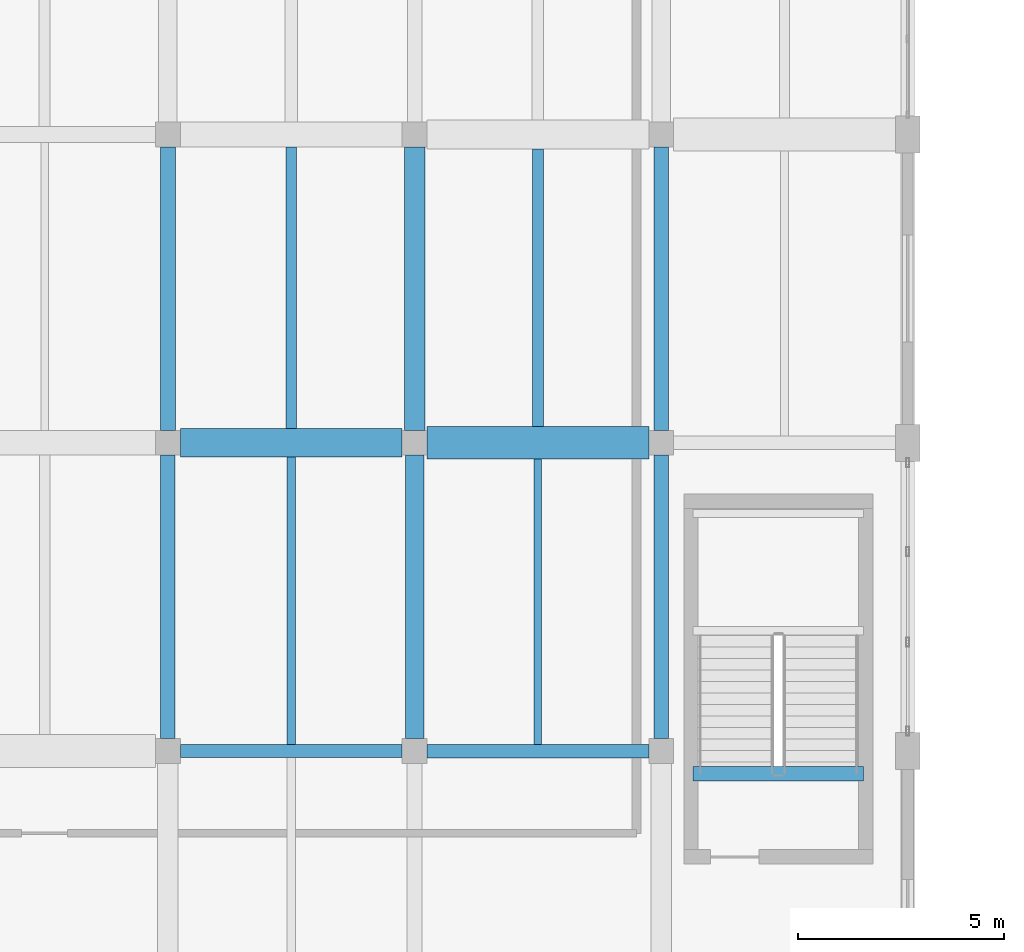
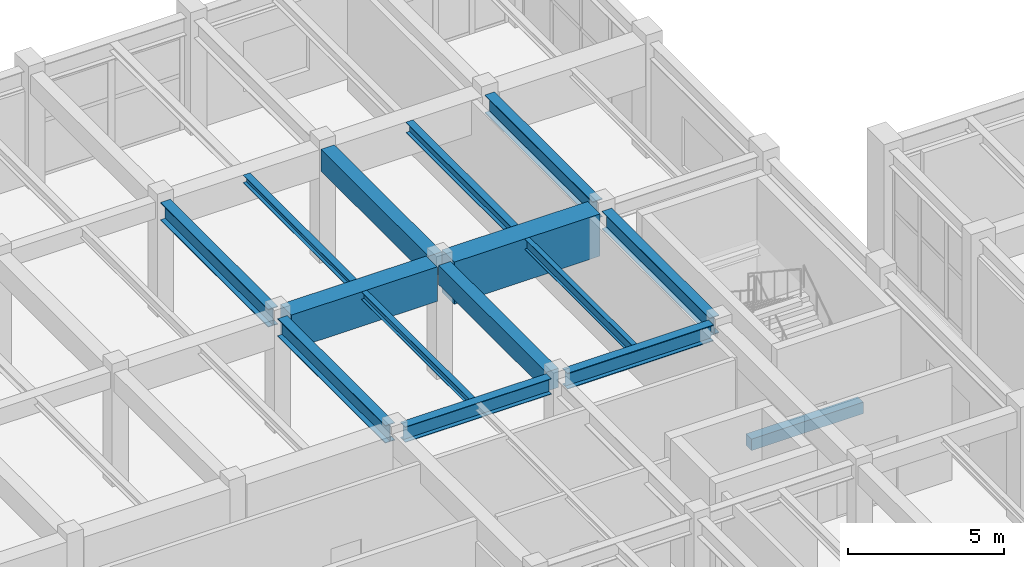
# One storey, part 39 of 85: 15 beams.
"""IFC4 building model written with IfcOpenShell, lengths in metres."""

from ifc_helpers import new_model, si_unit, direction, frame, origin, origin_2d, place, context, subcontext, project, spatial, rectangle, i_section, extrude, material, material_profile, profile_set, type_object, element, save


model = new_model("IFC4")

# Units and contexts
model_context = context("Model", 3, precision=1e-05, world=origin(), true_north=direction((0.0, 1.0)))
body_context = subcontext(model_context, "Body", "Model", "MODEL_VIEW")
ifc_project = project(units=[si_unit("LENGTHUNIT", "METRE"), si_unit("AREAUNIT", "SQUARE_METRE"), si_unit("VOLUMEUNIT", "CUBIC_METRE"), si_unit("PLANEANGLEUNIT", "RADIAN"), si_unit("MASSUNIT", "GRAM", prefix="KILO")], contexts=[model_context])

# Site, building, storey
site_placement = place(None, origin())
site = spatial("IfcSite", under=ifc_project, at=site_placement, CompositionType="ELEMENT")
building_placement = place(site_placement, origin())
building = spatial("IfcBuilding", under=site, at=building_placement, Name="Vaelkrest Opera House", CompositionType="ELEMENT")
storey_placement = place(building_placement, frame((0.0, 0.0, 10.199951171875)))
storey = spatial("IfcBuildingStorey", under=building, at=storey_placement, Name="L02", CompositionType="ELEMENT", Elevation=10.199951171875)

# Beams
ifc_material_1 = material(Name="Concrete C50/60", Category="concrete")
ifc_material_profile_1 = material_profile(ifc_material_1, rectangle(XDim=0.449951171875, YDim=0.75, at=origin_2d()), Name="RCB450X750")
ifc_profile_set_1 = profile_set([ifc_material_profile_1], Name="Concrete C50/60")
beam_type_1 = type_object("IfcBeamType", Name="B02", PredefinedType="BEAM", material=ifc_profile_set_1)
beam_1_placement = place(storey_placement, frame((-45.60009765625, 10.5, 4.070068359375), z_axis=(0.0, 1.0, 0.0), x_axis=(-1.0, 0.0, 0.0)))
element("IfcBeam", 1, at=beam_1_placement, inside=storey, type_object=beam_type_1, Name="Beam BM-V3-L02-1691", PredefinedType="BEAM", context=body_context, shape_type="SweptSolid", body=[
    extrude(rectangle(XDim=0.449951171875, YDim=0.75, at=origin_2d()), origin(), (0.0, 0.0, 1.0), 6.89990234375),
])
ifc_material_profile_2 = material_profile(ifc_material_1, rectangle(XDim=0.5, YDim=0.85009765625, at=origin_2d()), Name="RCB500X850")
ifc_profile_set_2 = profile_set([ifc_material_profile_2], Name="Concrete C50/60")
beam_type_2 = type_object("IfcBeamType", Name="B03", PredefinedType="BEAM", material=ifc_profile_set_2)
beam_2_placement = place(storey_placement, frame((-45.60009765625, 18.0, 4.02001953125), z_axis=(0.0, 1.0, 0.0), x_axis=(-1.0, 0.0, 0.0)))
element("IfcBeam", 2, at=beam_2_placement, inside=storey, type_object=beam_type_2, Name="Beam BM-V3-L02-1692", PredefinedType="BEAM", context=body_context, shape_type="SweptSolid", body=[
    extrude(rectangle(XDim=0.5, YDim=0.85009765625, at=origin_2d()), origin(), (0.0, 0.0, 1.0), 6.89990234375),
])
ifc_material_profile_3 = material_profile(ifc_material_1, rectangle(XDim=0.699951171875, YDim=1.35009765625, at=origin_2d()), Name="RCB700X1350")
ifc_profile_set_3 = profile_set([ifc_material_profile_3], Name="Concrete C50/60")
beam_type_3 = type_object("IfcBeamType", Name="B06", PredefinedType="BEAM", material=ifc_profile_set_3)
beam_3_placement = place(storey_placement, frame((-51.300048828125, 17.699951171875, 3.77001953125), z_axis=(1.0, 0.0, 0.0), x_axis=(0.0, 1.0, 0.0)))
element("IfcBeam", 3, at=beam_3_placement, inside=storey, type_object=beam_type_3, Name="Beam BM-V3-L02-1647", PredefinedType="BEAM", context=body_context, shape_type="SweptSolid", body=[
    extrude(rectangle(XDim=0.699951171875, YDim=1.35009765625, at=origin_2d()), origin(), (0.0, 0.0, 1.0), 5.400146484375),
])
ifc_material_profile_4 = material_profile(ifc_material_1, rectangle(XDim=0.800048828125, YDim=1.64990234375, at=origin_2d()), Name="RCB800X1650")
ifc_profile_set_4 = profile_set([ifc_material_profile_4], Name="Concrete C50/60")
beam_type_4 = type_object("IfcBeamType", Name="B07", PredefinedType="BEAM", material=ifc_profile_set_4)
beam_4_placement = place(storey_placement, frame((-45.300048828125, 17.699951171875, 3.6201171875), z_axis=(1.0, 0.0, 0.0), x_axis=(0.0, 1.0, 0.0)))
element("IfcBeam", 4, at=beam_4_placement, inside=storey, type_object=beam_type_4, Name="Beam BM-V3-L02-1648", PredefinedType="BEAM", context=body_context, shape_type="SweptSolid", body=[
    extrude(rectangle(XDim=0.800048828125, YDim=1.64990234375, at=origin_2d()), origin(), (0.0, 0.0, 1.0), 5.400146484375),
])
ifc_material_2 = material(Name="Steel A992 Gr50", Category="steel")
ifc_material_profile_5 = material_profile(ifc_material_2, i_section(OverallWidth=0.323974609375, OverallDepth=0.611083984375, WebThickness=0.0126953125, FlangeThickness=0.01904296875, at=origin_2d()), Name="W24X104")
ifc_profile_set_5 = profile_set([ifc_material_profile_5], Name="Steel A992 Gr50")
beam_type_5 = type_object("IfcBeamType", Name="B08", PredefinedType="BEAM", material=ifc_profile_set_5)
beam_5_placement = place(storey_placement, frame((-51.300048828125, 10.199951171875, 4.199462890625), z_axis=(1.0, 0.0, 0.0), x_axis=(0.0, 1.0, 0.0)))
element("IfcBeam", 5, at=beam_5_placement, inside=storey, type_object=beam_type_5, Name="Beam BM-V3-L02-1641", PredefinedType="BEAM", context=body_context, shape_type="SweptSolid", body=[
    extrude(i_section(OverallWidth=0.323974609375, OverallDepth=0.611083984375, WebThickness=0.0126953125, FlangeThickness=0.01904296875, at=origin_2d()), origin(), (0.0, 0.0, 1.0), 5.400146484375),
])
ifc_material_profile_6 = material_profile(ifc_material_2, i_section(OverallWidth=0.327880859375, OverallDepth=0.6279296875, WebThickness=0.0166015625, FlangeThickness=0.027587890625, at=origin_2d()), Name="W24X146")
ifc_profile_set_6 = profile_set([ifc_material_profile_6], Name="Steel A992 Gr50")
beam_type_6 = type_object("IfcBeamType", Name="B09", PredefinedType="BEAM", material=ifc_profile_set_6)
beam_6_placement = place(storey_placement, frame((-45.300048828125, 10.199951171875, 4.191162109375), z_axis=(1.0, 0.0, 0.0), x_axis=(0.0, 1.0, 0.0)))
element("IfcBeam", 6, at=beam_6_placement, inside=storey, type_object=beam_type_6, Name="Beam BM-V3-L02-1642", PredefinedType="BEAM", context=body_context, shape_type="SweptSolid", body=[
    extrude(i_section(OverallWidth=0.327880859375, OverallDepth=0.6279296875, WebThickness=0.0166015625, FlangeThickness=0.027587890625, at=origin_2d()), origin(), (0.0, 0.0, 1.0), 5.400146484375),
])
ifc_material_profile_7 = material_profile(ifc_material_2, i_section(OverallWidth=0.35498046875, OverallDepth=0.695068359375, WebThickness=0.015380859375, FlangeThickness=0.02490234375, at=origin_2d()), Name="W27X146")
ifc_profile_set_7 = profile_set([ifc_material_profile_7], Name="Steel A992 Gr50")
beam_type_7 = type_object("IfcBeamType", Name="B10", PredefinedType="BEAM", material=ifc_profile_set_7)
for number, where, z_axis, x_axis, name in (
    (7, (-51.60009765625, 10.5, 4.09765625), (0.0, 1.0, 0.0), (-1.0, 0.0, 0.0), "Beam BM-V3-L02-1685"),
    (8, (-39.60009765625, 10.5, 4.09765625), (0.0, 1.0, 0.0), (-1.0, 0.0, 0.0), "Beam BM-V3-L02-1697"),
):
    element("IfcBeam", number, at=place(storey_placement, frame(where, z_axis=z_axis, x_axis=x_axis)), inside=storey, type_object=beam_type_7, Name=name, PredefinedType="BEAM", context=body_context, shape_type="SweptSolid", body=[
        extrude(i_section(OverallWidth=0.35498046875, OverallDepth=0.695068359375, WebThickness=0.015380859375, FlangeThickness=0.02490234375, at=origin_2d()), origin(), (0.0, 0.0, 1.0), 6.89990234375),
    ])
ifc_material_profile_8 = material_profile(ifc_material_2, i_section(OverallWidth=0.35791015625, OverallDepth=0.7060546875, WebThickness=0.018310546875, FlangeThickness=0.0302734375, at=origin_2d()), Name="W27X178")
ifc_profile_set_8 = profile_set([ifc_material_profile_8], Name="Steel A992 Gr50")
beam_type_8 = type_object("IfcBeamType", Name="B14", PredefinedType="BEAM", material=ifc_profile_set_8)
for number, where, z_axis, x_axis, name in (
    (9, (-51.60009765625, 18.0, 4.092041015625), (0.0, 1.0, 0.0), (-1.0, 0.0, 0.0), "Beam BM-V3-L02-1686"),
    (10, (-39.60009765625, 18.0, 4.092041015625), (0.0, 1.0, 0.0), (-1.0, 0.0, 0.0), "Beam BM-V3-L02-1698"),
):
    element("IfcBeam", number, at=place(storey_placement, frame(where, z_axis=z_axis, x_axis=x_axis)), inside=storey, type_object=beam_type_8, Name=name, PredefinedType="BEAM", context=body_context, shape_type="SweptSolid", body=[
        extrude(i_section(OverallWidth=0.35791015625, OverallDepth=0.7060546875, WebThickness=0.018310546875, FlangeThickness=0.0302734375, at=origin_2d()), origin(), (0.0, 0.0, 1.0), 6.89990234375),
    ])
ifc_material_profile_9 = material_profile(ifc_material_2, i_section(OverallWidth=0.202880859375, OverallDepth=0.302978515625, WebThickness=0.007568359375, FlangeThickness=0.01318359375, at=origin_2d()), Name="W12X40")
ifc_profile_set_9 = profile_set([ifc_material_profile_9], Name="Steel A992 Gr50")
beam_type_9 = type_object("IfcBeamType", Name="J02", PredefinedType="JOIST", material=ifc_profile_set_9)
beam_7_placement = place(storey_placement, frame((-48.60009765625, 10.362060546875, 4.29345703125), z_axis=(0.0, 1.0, 0.0), x_axis=(-1.0, 0.0, 0.0)))
element("IfcBeam", 11, at=beam_7_placement, inside=storey, type_object=beam_type_9, Name="Floor joist JST-V3-L02-1722", PredefinedType="JOIST", context=body_context, shape_type="SweptSolid", body=[
    extrude(i_section(OverallWidth=0.202880859375, OverallDepth=0.302978515625, WebThickness=0.007568359375, FlangeThickness=0.01318359375, at=origin_2d()), origin(), (0.0, 0.0, 1.0), 6.988037109375),
])
ifc_material_profile_10 = material_profile(ifc_material_2, i_section(OverallWidth=0.25390625, OverallDepth=0.305908203125, WebThickness=0.0087890625, FlangeThickness=0.0146484375, at=origin_2d()), Name="W12X53")
ifc_profile_set_10 = profile_set([ifc_material_profile_10], Name="Steel A992 Gr50")
beam_type_10 = type_object("IfcBeamType", Name="J03", PredefinedType="JOIST", material=ifc_profile_set_10)
beam_8_placement = place(storey_placement, frame((-48.60009765625, 18.050048828125, 4.2919921875), z_axis=(0.0, 1.0, 0.0), x_axis=(-1.0, 0.0, 0.0)))
element("IfcBeam", 12, at=beam_8_placement, inside=storey, type_object=beam_type_10, Name="Floor joist JST-V3-L02-1723", PredefinedType="JOIST", context=body_context, shape_type="SweptSolid", body=[
    extrude(i_section(OverallWidth=0.25390625, OverallDepth=0.305908203125, WebThickness=0.0087890625, FlangeThickness=0.0146484375, at=origin_2d()), origin(), (0.0, 0.0, 1.0), 6.849853515625),
])
ifc_material_profile_11 = material_profile(ifc_material_2, i_section(OverallWidth=0.180908203125, OverallDepth=0.4169921875, WebThickness=0.010986328125, FlangeThickness=0.018310546875, at=origin_2d()), Name="W16X57")
ifc_profile_set_11 = profile_set([ifc_material_profile_11], Name="Steel A992 Gr50")
beam_type_11 = type_object("IfcBeamType", Name="J07", PredefinedType="JOIST", material=ifc_profile_set_11)
beam_9_placement = place(storey_placement, frame((-42.60009765625, 10.364013671875, 4.236572265625), z_axis=(0.0, 1.0, 0.0), x_axis=(-1.0, 0.0, 0.0)))
element("IfcBeam", 13, at=beam_9_placement, inside=storey, type_object=beam_type_11, Name="Floor joist JST-V3-L02-1727", PredefinedType="JOIST", context=body_context, shape_type="SweptSolid", body=[
    extrude(i_section(OverallWidth=0.180908203125, OverallDepth=0.4169921875, WebThickness=0.010986328125, FlangeThickness=0.018310546875, at=origin_2d()), origin(), (0.0, 0.0, 1.0), 6.93603515625),
])
ifc_material_profile_12 = material_profile(ifc_material_2, i_section(OverallWidth=0.261962890625, OverallDepth=0.4189453125, WebThickness=0.01171875, FlangeThickness=0.019287109375, at=origin_2d()), Name="W16X77")
ifc_profile_set_12 = profile_set([ifc_material_profile_12], Name="Steel A992 Gr50")
beam_type_12 = type_object("IfcBeamType", Name="J08", PredefinedType="JOIST", material=ifc_profile_set_12)
beam_10_placement = place(storey_placement, frame((-42.60009765625, 18.10009765625, 4.235595703125), z_axis=(0.0, 1.0, 0.0), x_axis=(-1.0, 0.0, 0.0)))
element("IfcBeam", 14, at=beam_10_placement, inside=storey, type_object=beam_type_12, Name="Floor joist JST-V3-L02-1728", PredefinedType="JOIST", context=body_context, shape_type="SweptSolid", body=[
    extrude(i_section(OverallWidth=0.261962890625, OverallDepth=0.4189453125, WebThickness=0.01171875, FlangeThickness=0.019287109375, at=origin_2d()), origin(), (0.0, 0.0, 1.0), 6.75),
])
ifc_material_profile_13 = material_profile(ifc_material_1, rectangle(XDim=0.35009765625, YDim=0.449951171875, at=origin_2d()), Name="RCB350X450")
ifc_profile_set_13 = profile_set([ifc_material_profile_13], Name="Concrete C50/60")
beam_type_13 = type_object("IfcBeamType", Name="LN01", PredefinedType="LINTEL", material=ifc_profile_set_13)
beam_11_placement = place(storey_placement, frame((-38.820068359375, 9.64990234375, -0.224853515625), z_axis=(1.0, 0.0, 0.0), x_axis=(0.0, 1.0, 0.0)))
element("IfcBeam", 15, at=beam_11_placement, inside=storey, type_object=beam_type_13, Name="Stairwell trimmer beam ST08 L02", PredefinedType="LINTEL", context=body_context, shape_type="SweptSolid", body=[
    extrude(rectangle(XDim=0.35009765625, YDim=0.449951171875, at=origin_2d()), origin(), (0.0, 0.0, 1.0), 4.14013671875),
])

save(model, "model.ifc")
